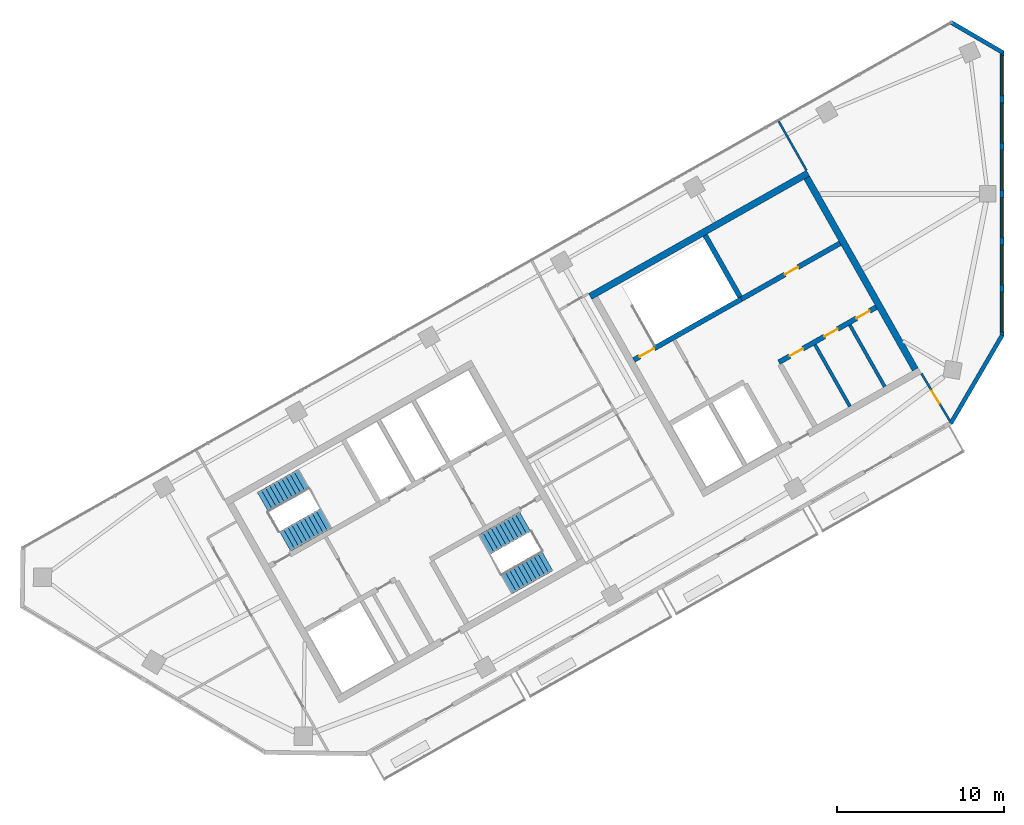
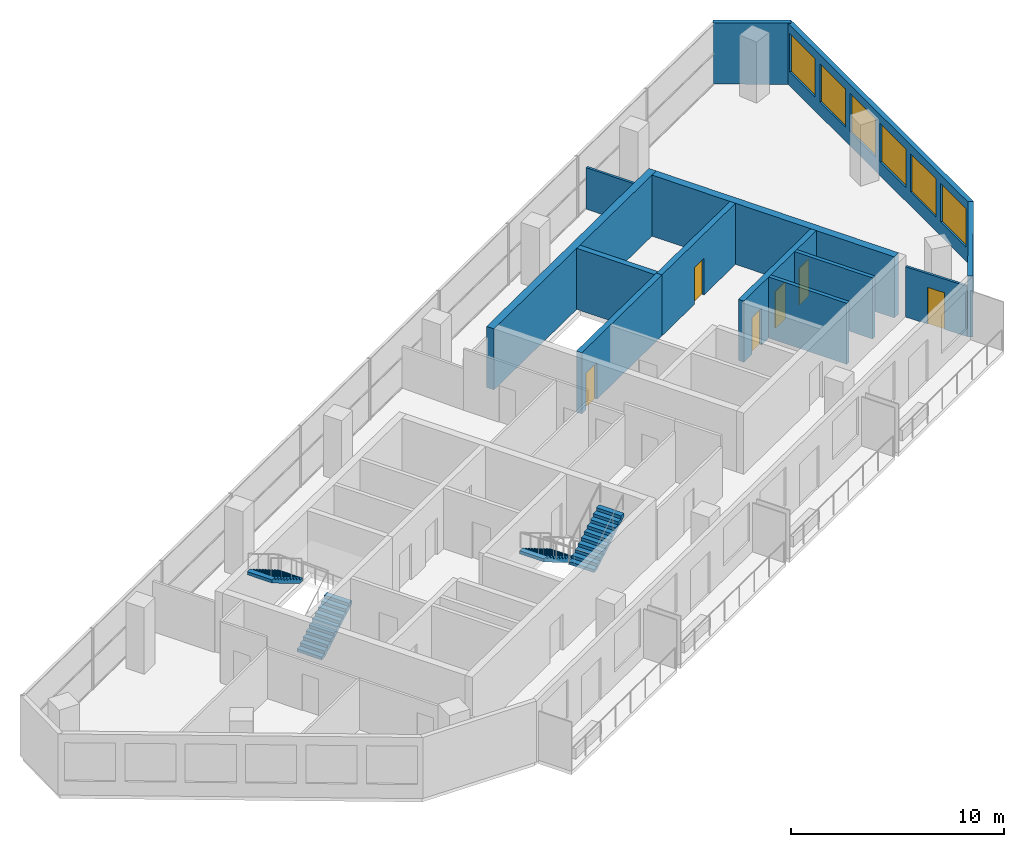
# One storey, part 8 of 10: 13 walls, 6 doors, 6 windows, 4 stair flights, 12 openings, 2 elements without a shape of their own.
"""IFC4 building model written with IfcOpenShell, lengths in metres."""

import ifcopenshell
import ifcopenshell.guid

model = None  # the IFC model being written
_history = None  # IfcOwnerHistory: only IFC2X3 demands one
_inside = {}  # id of a spatial element -> (the spatial element, [elements in it])
_under = {}  # id of a project, library or spatial element -> (it, [spatial elements below it])
_declared = {}  # id of a project -> (the project, [libraries it declares])
_typed = {}  # id of a type object -> (the type object, [elements of that type])
_made_of = {}  # id of a material, layer set ... -> (it, [elements and type objects made of it])


def new_model(schema):
    """Start an empty IFC model of exactly this schema.

    Asked for "IFC4X3", IfcOpenShell would pick the latest addendum, in which some entities
    have other attributes; the version numbers below select the first issue.
    IFC2X3 requires an IfcOwnerHistory on every rooted entity: one is made here for all.
    """
    global model, _history
    if schema == "IFC4X3":
        model = ifcopenshell.file(schema_version=(4, 3, 0, 0))
    else:
        model = ifcopenshell.file(schema=schema)
    _inside.clear()
    _under.clear()
    _declared.clear()
    _typed.clear()
    _made_of.clear()
    _history = None
    if model.schema == "IFC2X3":
        org = make("IfcOrganization", Name="unknown")
        user = make(
            "IfcPersonAndOrganization",
            ThePerson=make("IfcPerson", FamilyName="unknown"),
            TheOrganization=org,
        )
        app = make(
            "IfcApplication",
            ApplicationDeveloper=org,
            Version="unknown",
            ApplicationFullName="unknown",
            ApplicationIdentifier="unknown",
        )
        _history = make(
            "IfcOwnerHistory",
            OwningUser=user,
            OwningApplication=app,
            ChangeAction="ADDED",
            CreationDate=0,
        )
    return model


def make(cls, **values):
    """One entity of the class cls with the attributes given. An attribute that is None is left unset."""
    return model.create_entity(
        cls, **{name: value for name, value in values.items() if value is not None}
    )


def rooted(cls, **values):
    """An entity with a GlobalId (a new one), such as an element, a storey or a relation."""
    return make(cls, GlobalId=ifcopenshell.guid.new(), OwnerHistory=_history, **values)


def si_unit(unit_type, name, prefix=None):
    """IfcSIUnit, for example si_unit("LENGTHUNIT", "METRE", prefix="MILLI")."""
    return make("IfcSIUnit", UnitType=unit_type, Prefix=prefix, Name=name)


def assignment(units):
    """IfcUnitAssignment: the units of a project."""
    return None if units is None else make("IfcUnitAssignment", Units=units)


def point(xyz):
    """IfcCartesianPoint."""
    return None if xyz is None else make("IfcCartesianPoint", Coordinates=xyz)


def direction(xyz):
    """IfcDirection."""
    return None if xyz is None else make("IfcDirection", DirectionRatios=xyz)


def frame(location, z_axis=None, x_axis=None):
    """IfcAxis2Placement3D, a coordinate frame: its origin and axes. An axis left out is left unset."""
    return make(
        "IfcAxis2Placement3D",
        Location=point(location),
        Axis=direction(z_axis),
        RefDirection=direction(x_axis),
    )


def frame_2d(location, x_axis=None):
    """IfcAxis2Placement2D, a coordinate frame in the plane: its origin and x axis."""
    return make(
        "IfcAxis2Placement2D", Location=point(location), RefDirection=direction(x_axis)
    )


def origin():
    """The frame at (0, 0, 0) with its axes left unset."""
    return frame((0.0, 0.0, 0.0))


def place(relative_to, where):
    """IfcLocalPlacement: puts the frame where relative to a parent placement (None: the world)."""
    return make(
        "IfcLocalPlacement", PlacementRelTo=relative_to, RelativePlacement=where
    )


def context(
    kind, dimensions, precision=None, world=None, true_north=None, identifier=None
):
    """IfcGeometricRepresentationContext, for example the 3D "Model" context."""
    return make(
        "IfcGeometricRepresentationContext",
        ContextIdentifier=identifier,
        ContextType=kind,
        CoordinateSpaceDimension=dimensions,
        Precision=precision,
        WorldCoordinateSystem=world,
        TrueNorth=true_north,
    )


def subcontext(parent, identifier, kind, view, scale=None):
    """IfcGeometricRepresentationSubContext, for example "Body" below "Model"."""
    return make(
        "IfcGeometricRepresentationSubContext",
        ContextIdentifier=identifier,
        ContextType=kind,
        ParentContext=parent,
        TargetScale=scale,
        TargetView=view,
    )


def project(units=None, contexts=None):
    """IfcProject with its units and contexts."""
    return rooted(
        "IfcProject",
        Name="project",
        RepresentationContexts=contexts,
        UnitsInContext=assignment(units),
    )


def spatial(cls, under=None, at=None, **own):
    """A site, building, storey or space (cls), placed at a placement, below another one or the project."""
    s = rooted(cls, ObjectPlacement=at, **own)
    if under is not None:
        _under.setdefault(under.id(), (under, []))[1].append(s)
    return s


def polyline(points):
    """IfcPolyline through the points."""
    return make("IfcPolyline", Points=[point(p) for p in points])


def profile(cls, at=None, kind="AREA", **sizes):
    """A parametric profile (cls). Its sizes go by their IFC names, for example OverallWidth=200.0."""
    return make(cls, ProfileType=kind, Position=at, **sizes)


def rectangle(**sizes):
    """IfcRectangleProfileDef."""
    return profile("IfcRectangleProfileDef", **sizes)


def outline(outer, holes=None, kind="AREA"):
    """IfcArbitraryClosedProfileDef: a profile drawn as a closed curve; with holes, ...WithVoids."""
    if holes is None:
        return make("IfcArbitraryClosedProfileDef", ProfileType=kind, OuterCurve=outer)
    return make(
        "IfcArbitraryProfileDefWithVoids",
        ProfileType=kind,
        OuterCurve=outer,
        InnerCurves=holes,
    )


def extrude(swept, where, along, depth):
    """IfcExtrudedAreaSolid: the profile swept, set in the frame where, extruded along a direction by depth."""
    return make(
        "IfcExtrudedAreaSolid",
        SweptArea=swept,
        Position=where,
        ExtrudedDirection=direction(along),
        Depth=depth,
    )


def shape(context_of_items, identifier, shape_type, items):
    """IfcShapeRepresentation: the items that make up one representation, for example the "Body"."""
    return make(
        "IfcShapeRepresentation",
        ContextOfItems=context_of_items,
        RepresentationIdentifier=identifier,
        RepresentationType=shape_type,
        Items=items,
    )


def material(Name=None, Category=None):
    """IfcMaterial."""
    return make("IfcMaterial", Name=Name, Category=Category)


def layer(
    of_material, thickness, ventilated=None, Name=None, Category=None, Priority=None
):
    """IfcMaterialLayer: one layer of a wall or slab, of a material (None: an air gap)."""
    return make(
        "IfcMaterialLayer",
        Material=of_material,
        LayerThickness=thickness,
        IsVentilated=ventilated,
        Name=Name,
        Category=Category,
        Priority=Priority,
    )


def layer_set(layers, Name=None):
    """IfcMaterialLayerSet."""
    return make("IfcMaterialLayerSet", MaterialLayers=layers, LayerSetName=Name)


def made_of(thing, what):
    """Note that an element or type object is made of a material, layer set ...; save() writes the relation."""
    if what is not None:
        _made_of.setdefault(what.id(), (what, []))[1].append(thing)
    return thing


def type_object(cls, material=None, **own):
    """A type object (cls), such as IfcWallType, which elements share."""
    return made_of(rooted(cls, **own), material)


def element(
    cls,
    number,
    at=None,
    inside=None,
    cuts=None,
    type_object=None,
    material=None,
    context=None,
    identifier="Body",
    shape_type=None,
    held_by="IfcProductDefinitionShape",
    body=None,
    shapes=None,
    **own,
):
    """One element of the class cls, such as IfcWall. Its Tag is "e" and its number.

    at: its placement. inside: the storey or other place that contains it. cuts: it is an
    opening in that element (IfcRelVoidsElement). A single representation is given by context,
    identifier, shape_type and body (its items); several are given by shapes. held_by: the class
    of the entity that holds the representations. save() writes the other relations.
    """
    e = rooted(cls, Tag="e%d" % number, ObjectPlacement=at, **own)
    if body is not None:
        shapes = [shape(context, identifier, shape_type, body)]
    if shapes is not None:
        e.Representation = make(held_by, Representations=shapes)
    if inside is not None:
        _inside.setdefault(inside.id(), (inside, []))[1].append(e)
    if cuts is not None:
        rooted(
            "IfcRelVoidsElement", RelatingBuildingElement=cuts, RelatedOpeningElement=e
        )
    if type_object is not None:
        _typed.setdefault(type_object.id(), (type_object, []))[1].append(e)
    return made_of(e, material)


def fill(opening, filler):
    """IfcRelFillsElement: the door or window that sits in an opening."""
    return rooted(
        "IfcRelFillsElement",
        RelatingOpeningElement=opening,
        RelatedBuildingElement=filler,
    )


def aggregate(whole, parts):
    """IfcRelAggregates: a whole, such as a stair, and the parts it consists of."""
    return rooted("IfcRelAggregates", RelatingObject=whole, RelatedObjects=parts)


def save(model, path):
    """Write the relations noted so far, then the file.

    IfcRelAggregates (storeys below a building ...), IfcRelContainedInSpatialStructure (elements
    in a storey), IfcRelDefinesByType, IfcRelAssociatesMaterial and IfcRelDeclares: one each for
    every whole, place, type object, material and project.
    """
    for whole, parts in _under.values():
        aggregate(whole, parts)
    for where, things in _inside.values():
        rooted(
            "IfcRelContainedInSpatialStructure",
            RelatedElements=things,
            RelatingStructure=where,
        )
    for kind, things in _typed.values():
        rooted("IfcRelDefinesByType", RelatedObjects=things, RelatingType=kind)
    for what, things in _made_of.values():
        rooted("IfcRelAssociatesMaterial", RelatedObjects=things, RelatingMaterial=what)
    for by, libraries in _declared.values():
        rooted("IfcRelDeclares", RelatingContext=by, RelatedDefinitions=libraries)
    model.write(path)


model = new_model("IFC4")

# Units and contexts
model_context = context("Model", 3, precision=1e-05, world=origin(), true_north=direction((0.0, 1.0)))
body_context = subcontext(model_context, "Body", "Model", "MODEL_VIEW")
ifc_project = project(units=[si_unit("LENGTHUNIT", "METRE"), si_unit("AREAUNIT", "SQUARE_METRE"), si_unit("VOLUMEUNIT", "CUBIC_METRE"), si_unit("PLANEANGLEUNIT", "RADIAN"), si_unit("MASSUNIT", "GRAM", prefix="KILO")], contexts=[model_context])

# Site, building, storey
site_placement = place(None, origin())
site = spatial("IfcSite", under=ifc_project, at=site_placement, CompositionType="ELEMENT")
building_placement = place(site_placement, origin())
building = spatial("IfcBuilding", under=site, at=building_placement, Name="Binnacle Exchange Tower", CompositionType="ELEMENT")
storey_placement = place(building_placement, frame((0.0, 0.0, 343.10009765625)))
storey = spatial("IfcBuildingStorey", under=building, at=storey_placement, Name="L78", CompositionType="ELEMENT", Elevation=343.10009765625)

# Walls
ifc_material_1 = material(Name="Gypsum partition fire rated")
ifc_layer_1 = layer(ifc_material_1, 0.199951171875)
ifc_layer_set_1 = layer_set([ifc_layer_1], Name="Core partition 200")
wall_type_1 = type_object("IfcWallType", Name="Core partition 200", PredefinedType="PARTITIONING", material=ifc_layer_set_1)
wall_1_placement = place(storey_placement, frame((-11.201904296875, 50.96240234375, 0.0), z_axis=(0.0, 0.0, 1.0), x_axis=(0.492441437811, -0.870345580977, 0.0)))
element("IfcWall", 1, at=wall_1_placement, inside=storey, type_object=wall_type_1, Name="Core wall CRWC19", PredefinedType="PARTITIONING", context=body_context, shape_type="SweptSolid", body=[
    extrude(rectangle(XDim=4.250244140625, YDim=0.199951171875, at=frame_2d((2.125, 0.0))), origin(), (0.0, 0.0, 1.0), 3.5),
])
wall_2_placement = place(storey_placement, frame((-9.11279296875, 52.14404296875, 0.0), z_axis=(0.0, 0.0, 1.0), x_axis=(0.492422543467, -0.870356271124, 0.0)))
element("IfcWall", 2, at=wall_2_placement, inside=storey, type_object=wall_type_1, Name="Core wall CRWC22", PredefinedType="PARTITIONING", context=body_context, shape_type="SweptSolid", body=[
    extrude(rectangle(XDim=4.25, YDim=0.199951171875, at=frame_2d((2.125, 0.0))), origin(), (0.0, 0.0, 1.0), 3.5),
])

# Wall, openings, doors
ifc_material_2 = material(Name="Concrete C70/85", Category="concrete")
ifc_layer_2 = layer(ifc_material_2, 0.300048828125)
ifc_layer_set_2 = layer_set([ifc_layer_2], Name="Core wall - front 300")
wall_type_2 = type_object("IfcWallType", Name="Core wall - front 300", PredefinedType="SOLIDWALL", material=ifc_layer_set_2)
wall_3_placement = place(storey_placement, frame((-13.364501953125, 49.910888671875, 0.0), z_axis=(0.0, 0.0, 1.0), x_axis=(0.870347618718, 0.492437836272, 0.0)))
wall_3 = element("IfcWall", 3, at=wall_3_placement, inside=storey, type_object=wall_type_2, Name="Core wall CRWC3", PredefinedType="SOLIDWALL", context=body_context, shape_type="SweptSolid", body=[
    extrude(rectangle(XDim=6.699951171875, YDim=0.300048828125, at=frame_2d((3.35009765625, 0.0))), origin(), (0.0, 0.0, 1.0), 3.5),
])
opening_1_placement = place(wall_3_placement, frame((0.75, 0.0, 0.0)))
opening_1 = element("IfcOpeningElement", 4, at=opening_1_placement, cuts=wall_3, Name="Opening DC18", PredefinedType="OPENING", context=body_context, shape_type="SweptSolid", body=[
    extrude(rectangle(XDim=0.89990234375, YDim=2.10009765625, at=frame_2d((0.449951171875, 1.050048828125))), frame((0.0, 0.159912109375, 0.0), z_axis=(0.0, -1.0, 0.0), x_axis=(1.0, 0.0, 0.0)), (0.0, 0.0, 1.0), 0.320068359375),
])
opening_2_placement = place(wall_3_placement, frame((3.14990234375, 0.0, 0.0)))
opening_2 = element("IfcOpeningElement", 5, at=opening_2_placement, cuts=wall_3, Name="Opening DC19", PredefinedType="OPENING", context=body_context, shape_type="SweptSolid", body=[
    extrude(rectangle(XDim=0.89990234375, YDim=2.10009765625, at=frame_2d((0.449951171875, 1.050048828125))), frame((0.0, 0.159912109375, 0.0), z_axis=(0.0, -1.0, 0.0), x_axis=(1.0, 0.0, 0.0)), (0.0, 0.0, 1.0), 0.320068359375),
])
opening_3_placement = place(wall_3_placement, frame((5.35009765625, 0.0, 0.0)))
opening_3 = element("IfcOpeningElement", 6, at=opening_3_placement, cuts=wall_3, Name="Opening DC20", PredefinedType="OPENING", context=body_context, shape_type="SweptSolid", body=[
    extrude(rectangle(XDim=0.89990234375, YDim=2.10009765625, at=frame_2d((0.449951171875, 1.050048828125))), frame((0.0, 0.159912109375, 0.0), z_axis=(0.0, -1.0, 0.0), x_axis=(1.0, 0.0, 0.0)), (0.0, 0.0, 1.0), 0.320068359375),
])
ifc_material_3 = material(Name="Steel door leaf", Category="steel")
door_type_1 = type_object("IfcDoorType", Name="Fire door 900", OperationType="NOTDEFINED", PredefinedType="DOOR", material=ifc_material_3)
door_1_placement = place(opening_1_placement, frame((0.89990234375, 0.0, 0.0), z_axis=(0.0, 0.0, 1.0), x_axis=(-1.0, 0.0, 0.0)))
door_1 = element("IfcDoor", 7, at=door_1_placement, inside=storey, type_object=door_type_1, Name="Core room door FIBRE ENTRY ROOM", OperationType="SINGLE_SWING_RIGHT", OverallHeight=2.10009765625, OverallWidth=0.89990234375, PredefinedType="DOOR", context=body_context, shape_type="SweptSolid", body=[
    extrude(rectangle(XDim=0.89990234375, YDim=2.10009765625, at=frame_2d((0.449951171875, 1.050048828125))), frame((0.0, 0.02490234375, 0.0), z_axis=(0.0, -1.0, 0.0), x_axis=(1.0, 0.0, 0.0)), (0.0, 0.0, 1.0), 0.050048828125),
])
fill(opening_1, door_1)
door_2_placement = place(opening_2_placement, frame((0.89990234375, 0.0, 0.0), z_axis=(0.0, 0.0, 1.0), x_axis=(-1.0, 0.0, 0.0)))
door_2 = element("IfcDoor", 8, at=door_2_placement, inside=storey, type_object=door_type_1, Name="Core room door ELECTRICAL ROOM", OperationType="SINGLE_SWING_LEFT", OverallHeight=2.10009765625, OverallWidth=0.89990234375, PredefinedType="DOOR", context=body_context, shape_type="SweptSolid", body=[
    extrude(rectangle(XDim=0.89990234375, YDim=2.10009765625, at=frame_2d((0.449951171875, 1.050048828125))), frame((0.0, 0.02490234375, 0.0), z_axis=(0.0, -1.0, 0.0), x_axis=(1.0, 0.0, 0.0)), (0.0, 0.0, 1.0), 0.050048828125),
])
fill(opening_2, door_2)
door_3_placement = place(opening_3_placement, frame((0.89990234375, 0.0, 0.0), z_axis=(0.0, 0.0, 1.0), x_axis=(-1.0, 0.0, 0.0)))
door_3 = element("IfcDoor", 9, at=door_3_placement, inside=storey, type_object=door_type_1, Name="Core room door COMMS RISER ROOM", OperationType="SINGLE_SWING_LEFT", OverallHeight=2.10009765625, OverallWidth=0.89990234375, PredefinedType="DOOR", context=body_context, shape_type="SweptSolid", body=[
    extrude(rectangle(XDim=0.89990234375, YDim=2.10009765625, at=frame_2d((0.449951171875, 1.050048828125))), frame((0.0, 0.02490234375, 0.0), z_axis=(0.0, -1.0, 0.0), x_axis=(1.0, 0.0, 0.0)), (0.0, 0.0, 1.0), 0.050048828125),
])
fill(opening_3, door_3)

# Wall, opening, door
wall_4_placement = place(storey_placement, frame((-15.6181640625, 53.69140625, 0.0), z_axis=(0.0, 0.0, 1.0), x_axis=(0.870362830851, 0.492410948978, 0.0)))
wall_4 = element("IfcWall", 10, at=wall_4_placement, inside=storey, type_object=wall_type_2, Name="Core wall CRWC5", PredefinedType="SOLIDWALL", context=body_context, shape_type="SweptSolid", body=[
    extrude(rectangle(XDim=6.800048828125, YDim=0.300048828125, at=frame_2d((3.39990234375, 0.0))), origin(), (0.0, 0.0, 1.0), 3.5),
])
opening_4_placement = place(wall_4_placement, frame((3.0, 0.0, 0.0)))
opening_4 = element("IfcOpeningElement", 11, at=opening_4_placement, cuts=wall_4, Name="Opening DC10", PredefinedType="OPENING", context=body_context, shape_type="SweptSolid", body=[
    extrude(rectangle(XDim=0.89990234375, YDim=2.10009765625, at=frame_2d((0.449951171875, 1.050048828125))), frame((0.0, 0.159912109375, 0.0), z_axis=(0.0, -1.0, 0.0), x_axis=(1.0, 0.0, 0.0)), (0.0, 0.0, 1.0), 0.320068359375),
])
door_4_placement = place(opening_4_placement, origin())
door_4 = element("IfcDoor", 12, at=door_4_placement, inside=storey, type_object=door_type_1, Name="Core room door WORKSHOP STORE", OperationType="SINGLE_SWING_RIGHT", OverallHeight=2.10009765625, OverallWidth=0.89990234375, PredefinedType="DOOR", context=body_context, shape_type="SweptSolid", body=[
    extrude(rectangle(XDim=0.89990234375, YDim=2.10009765625, at=frame_2d((0.449951171875, 1.050048828125))), frame((0.0, 0.02490234375, 0.0), z_axis=(0.0, -1.0, 0.0), x_axis=(1.0, 0.0, 0.0)), (0.0, 0.0, 1.0), 0.050048828125),
])
fill(opening_4, door_4)

# Walls
ifc_layer_3 = layer(ifc_material_2, 0.39990234375)
ifc_layer_set_3 = layer_set([ifc_layer_3], Name="Core wall - outer 400")
wall_type_3 = type_object("IfcWallType", Name="Core wall - outer 400", PredefinedType="SOLIDWALL", material=ifc_layer_set_3)
wall_5_placement = place(storey_placement, frame((-24.672119140625, 53.85400390625, 0.0), z_axis=(0.0, 0.0, 1.0), x_axis=(0.870353598469, 0.492427267353, 0.0)))
element("IfcWall", 13, at=wall_5_placement, inside=storey, type_object=wall_type_3, Name="Core wall CRWC6", PredefinedType="SOLIDWALL", context=body_context, shape_type="SweptSolid", body=[
    extrude(rectangle(XDim=15.000244140625, YDim=0.39990234375, at=frame_2d((7.5, 0.0))), origin(), (0.0, 0.0, 1.0), 3.5),
])
wall_6_placement = place(storey_placement, frame((-11.6923828125, 60.968017578125, 0.0), z_axis=(0.0, 0.0, 1.0), x_axis=(0.492421663121, -0.870356769198, 0.0)))
element("IfcWall", 14, at=wall_6_placement, inside=storey, type_object=wall_type_3, Name="Core wall CRWC24", PredefinedType="SOLIDWALL", context=body_context, shape_type="SweptSolid", body=[
    extrude(rectangle(XDim=13.199951171875, YDim=0.39990234375, at=frame_2d((6.60009765625, 0.0))), origin(), (0.0, 0.0, 1.0), 3.5),
])

# Wall, opening, door
ifc_layer_4 = layer(ifc_material_2, 0.300048828125)
ifc_layer_set_4 = layer_set([ifc_layer_4], Name="Core wall - stair 300")
wall_type_4 = type_object("IfcWallType", Name="Core wall - stair 300", PredefinedType="SOLIDWALL", material=ifc_layer_set_4)
wall_7_placement = place(storey_placement, frame((-22.058837890625, 50.04736328125, 0.0), z_axis=(0.0, 0.0, 1.0), x_axis=(0.87035077051, 0.49243226567, 0.0)))
wall_7 = element("IfcWall", 15, at=wall_7_placement, inside=storey, type_object=wall_type_4, Name="Core wall CRWC4", PredefinedType="SOLIDWALL", context=body_context, shape_type="SweptSolid", body=[
    extrude(rectangle(XDim=7.400146484375, YDim=0.300048828125, at=frame_2d((3.7001953125, 0.0))), origin(), (0.0, 0.0, 1.0), 3.5),
])
opening_5_placement = place(wall_7_placement, frame((0.39990234375, 0.0, 0.0)))
opening_5 = element("IfcOpeningElement", 16, at=opening_5_placement, cuts=wall_7, Name="Opening DC1", PredefinedType="OPENING", context=body_context, shape_type="SweptSolid", body=[
    extrude(rectangle(XDim=1.0, YDim=2.10009765625, at=frame_2d((0.5, 1.050048828125))), frame((0.0, 0.159912109375, 0.0), z_axis=(0.0, -1.0, 0.0), x_axis=(1.0, 0.0, 0.0)), (0.0, 0.0, 1.0), 0.320068359375),
])
door_type_2 = type_object("IfcDoorType", Name="Fire door 1000", OperationType="NOTDEFINED", PredefinedType="DOOR", material=ifc_material_3)
door_5_placement = place(opening_5_placement, origin())
door_5 = element("IfcDoor", 17, at=door_5_placement, inside=storey, type_object=door_type_2, Name="Stair door ST-C1", OperationType="SINGLE_SWING_LEFT", OverallHeight=2.10009765625, OverallWidth=1.0, PredefinedType="DOOR", context=body_context, shape_type="SweptSolid", body=[
    extrude(rectangle(XDim=1.0, YDim=2.10009765625, at=frame_2d((0.5, 1.050048828125))), frame((0.0, 0.02490234375, 0.0), z_axis=(0.0, -1.0, 0.0), x_axis=(1.0, 0.0, 0.0)), (0.0, 0.0, 1.0), 0.050048828125),
])
fill(opening_5, door_5)

# Walls
wall_8_placement = place(storey_placement, frame((-17.784912109375, 57.52099609375, 0.0), z_axis=(0.0, 0.0, 1.0), x_axis=(0.492422543467, -0.870356271124, 0.0)))
element("IfcWall", 18, at=wall_8_placement, inside=storey, type_object=wall_type_4, Name="Core wall CRWC14", PredefinedType="SOLIDWALL", context=body_context, shape_type="SweptSolid", body=[
    extrude(rectangle(XDim=4.25, YDim=0.300048828125, at=frame_2d((2.125, 0.0))), origin(), (0.0, 0.0, 1.0), 3.5),
])
ifc_material_4 = material(Name="Bronze aluminium cladding", Category="aluminium")
ifc_layer_5 = layer(ifc_material_4, 0.25)
ifc_layer_set_5 = layer_set([ifc_layer_5], Name="External wall - window wall 250")
wall_type_5 = type_object("IfcWallType", Name="External wall - window wall 250", PredefinedType="STANDARD", material=ifc_layer_set_5)
wall_9_placement = place(storey_placement, frame((0.01708984375, 51.529296875, 0.0), z_axis=(0.0, 0.0, 1.0), x_axis=(-0.503769237131, -0.863838269424, 0.0)))
element("IfcWall", 19, at=wall_9_placement, inside=storey, type_object=wall_type_5, Name="External wall EW-H00 L78", PredefinedType="STANDARD", context=body_context, shape_type="SweptSolid", body=[
    extrude(rectangle(XDim=6.114501953125, YDim=0.25, at=frame_2d((3.05712890625, 0.0))), origin(), (0.0, 0.0, 1.0), 3.5),
])

# Wall, openings, windows
wall_10_placement = place(storey_placement, frame((0.0, 68.57177734375, 0.0), z_axis=(0.0, 0.0, 1.0), x_axis=(0.0, -1.0, 0.0)))
wall_10 = element("IfcWall", 20, at=wall_10_placement, inside=storey, type_object=wall_type_5, Name="External wall EW-H01 L78", PredefinedType="STANDARD", context=body_context, shape_type="SweptSolid", body=[
    extrude(rectangle(XDim=17.10546875, YDim=0.25, at=frame_2d((8.552734375, 0.0))), origin(), (0.0, 0.0, 1.0), 3.5),
])
opening_6_placement = place(wall_10_placement, frame((14.455078125, 0.0, 0.800048828125)))
opening_6 = element("IfcOpeningElement", 21, at=opening_6_placement, cuts=wall_10, Name="Opening WR2", PredefinedType="OPENING", context=body_context, shape_type="SweptSolid", body=[
    extrude(rectangle(XDim=2.39990234375, YDim=2.199951171875, at=frame_2d((1.199951171875, 1.10009765625))), frame((0.0, 0.135009765625, 0.0), z_axis=(0.0, -1.0, 0.0), x_axis=(1.0, 0.0, 0.0)), (0.0, 0.0, 1.0), 0.27001953125),
])
opening_7_placement = place(wall_10_placement, frame((11.621826171875, 0.0, 0.800048828125)))
opening_7 = element("IfcOpeningElement", 22, at=opening_7_placement, cuts=wall_10, Name="Opening WR2", PredefinedType="OPENING", context=body_context, shape_type="SweptSolid", body=[
    extrude(rectangle(XDim=2.39990234375, YDim=2.199951171875, at=frame_2d((1.199951171875, 1.10009765625))), frame((0.0, 0.135009765625, 0.0), z_axis=(0.0, -1.0, 0.0), x_axis=(1.0, 0.0, 0.0)), (0.0, 0.0, 1.0), 0.27001953125),
])
opening_8_placement = place(wall_10_placement, frame((8.78857421875, 0.0, 0.800048828125)))
opening_8 = element("IfcOpeningElement", 23, at=opening_8_placement, cuts=wall_10, Name="Opening WR2", PredefinedType="OPENING", context=body_context, shape_type="SweptSolid", body=[
    extrude(rectangle(XDim=2.39990234375, YDim=2.199951171875, at=frame_2d((1.199951171875, 1.10009765625))), frame((0.0, 0.135009765625, 0.0), z_axis=(0.0, -1.0, 0.0), x_axis=(1.0, 0.0, 0.0)), (0.0, 0.0, 1.0), 0.27001953125),
])
opening_9_placement = place(wall_10_placement, frame((5.955078125, 0.0, 0.800048828125)))
opening_9 = element("IfcOpeningElement", 24, at=opening_9_placement, cuts=wall_10, Name="Opening WR2", PredefinedType="OPENING", context=body_context, shape_type="SweptSolid", body=[
    extrude(rectangle(XDim=2.39990234375, YDim=2.199951171875, at=frame_2d((1.199951171875, 1.10009765625))), frame((0.0, 0.135009765625, 0.0), z_axis=(0.0, -1.0, 0.0), x_axis=(1.0, 0.0, 0.0)), (0.0, 0.0, 1.0), 0.27001953125),
])
opening_10_placement = place(wall_10_placement, frame((3.121826171875, 0.0, 0.800048828125)))
opening_10 = element("IfcOpeningElement", 25, at=opening_10_placement, cuts=wall_10, Name="Opening WR2", PredefinedType="OPENING", context=body_context, shape_type="SweptSolid", body=[
    extrude(rectangle(XDim=2.39990234375, YDim=2.199951171875, at=frame_2d((1.199951171875, 1.10009765625))), frame((0.0, 0.135009765625, 0.0), z_axis=(0.0, -1.0, 0.0), x_axis=(1.0, 0.0, 0.0)), (0.0, 0.0, 1.0), 0.27001953125),
])
opening_11_placement = place(wall_10_placement, frame((0.28857421875, 0.0, 0.800048828125)))
opening_11 = element("IfcOpeningElement", 26, at=opening_11_placement, cuts=wall_10, Name="Opening WR2", PredefinedType="OPENING", context=body_context, shape_type="SweptSolid", body=[
    extrude(rectangle(XDim=2.39990234375, YDim=2.199951171875, at=frame_2d((1.199951171875, 1.10009765625))), frame((0.0, 0.135009765625, 0.0), z_axis=(0.0, -1.0, 0.0), x_axis=(1.0, 0.0, 0.0)), (0.0, 0.0, 1.0), 0.27001953125),
])
ifc_material_5 = material(Name="Bronze anodised aluminium frame", Category="aluminium")
window_type = type_object("IfcWindowType", Name="WR2 WINDOW 2400x2200", PartitioningType="SINGLE_PANEL", PredefinedType="WINDOW", material=ifc_material_5)
window_1_placement = place(opening_6_placement, origin())
window_1 = element("IfcWindow", 27, at=window_1_placement, inside=storey, type_object=window_type, Name="Window WR2 L78", OverallHeight=2.199951171875, OverallWidth=2.39990234375, PartitioningType="SINGLE_PANEL", PredefinedType="WINDOW", context=body_context, shape_type="SweptSolid", body=[
    extrude(rectangle(XDim=2.39990234375, YDim=2.199951171875, at=frame_2d((1.199951171875, 1.10009765625))), frame((0.0, 0.030029296875, 0.0), z_axis=(0.0, -1.0, 0.0), x_axis=(1.0, 0.0, 0.0)), (0.0, 0.0, 1.0), 0.06005859375),
])
fill(opening_6, window_1)
window_2_placement = place(opening_7_placement, origin())
window_2 = element("IfcWindow", 28, at=window_2_placement, inside=storey, type_object=window_type, Name="Window WR2 L78", OverallHeight=2.199951171875, OverallWidth=2.39990234375, PartitioningType="SINGLE_PANEL", PredefinedType="WINDOW", context=body_context, shape_type="SweptSolid", body=[
    extrude(rectangle(XDim=2.39990234375, YDim=2.199951171875, at=frame_2d((1.199951171875, 1.10009765625))), frame((0.0, 0.030029296875, 0.0), z_axis=(0.0, -1.0, 0.0), x_axis=(1.0, 0.0, 0.0)), (0.0, 0.0, 1.0), 0.06005859375),
])
fill(opening_7, window_2)
window_3_placement = place(opening_8_placement, origin())
window_3 = element("IfcWindow", 29, at=window_3_placement, inside=storey, type_object=window_type, Name="Window WR2 L78", OverallHeight=2.199951171875, OverallWidth=2.39990234375, PartitioningType="SINGLE_PANEL", PredefinedType="WINDOW", context=body_context, shape_type="SweptSolid", body=[
    extrude(rectangle(XDim=2.39990234375, YDim=2.199951171875, at=frame_2d((1.199951171875, 1.10009765625))), frame((0.0, 0.030029296875, 0.0), z_axis=(0.0, -1.0, 0.0), x_axis=(1.0, 0.0, 0.0)), (0.0, 0.0, 1.0), 0.06005859375),
])
fill(opening_8, window_3)
window_4_placement = place(opening_9_placement, origin())
window_4 = element("IfcWindow", 30, at=window_4_placement, inside=storey, type_object=window_type, Name="Window WR2 L78", OverallHeight=2.199951171875, OverallWidth=2.39990234375, PartitioningType="SINGLE_PANEL", PredefinedType="WINDOW", context=body_context, shape_type="SweptSolid", body=[
    extrude(rectangle(XDim=2.39990234375, YDim=2.199951171875, at=frame_2d((1.199951171875, 1.10009765625))), frame((0.0, 0.030029296875, 0.0), z_axis=(0.0, -1.0, 0.0), x_axis=(1.0, 0.0, 0.0)), (0.0, 0.0, 1.0), 0.06005859375),
])
fill(opening_9, window_4)
window_5_placement = place(opening_10_placement, origin())
window_5 = element("IfcWindow", 31, at=window_5_placement, inside=storey, type_object=window_type, Name="Window WR2 L78", OverallHeight=2.199951171875, OverallWidth=2.39990234375, PartitioningType="SINGLE_PANEL", PredefinedType="WINDOW", context=body_context, shape_type="SweptSolid", body=[
    extrude(rectangle(XDim=2.39990234375, YDim=2.199951171875, at=frame_2d((1.199951171875, 1.10009765625))), frame((0.0, 0.030029296875, 0.0), z_axis=(0.0, -1.0, 0.0), x_axis=(1.0, 0.0, 0.0)), (0.0, 0.0, 1.0), 0.06005859375),
])
fill(opening_10, window_5)
window_6_placement = place(opening_11_placement, origin())
window_6 = element("IfcWindow", 32, at=window_6_placement, inside=storey, type_object=window_type, Name="Window WR2 L78", OverallHeight=2.199951171875, OverallWidth=2.39990234375, PartitioningType="SINGLE_PANEL", PredefinedType="WINDOW", context=body_context, shape_type="SweptSolid", body=[
    extrude(rectangle(XDim=2.39990234375, YDim=2.199951171875, at=frame_2d((1.199951171875, 1.10009765625))), frame((0.0, 0.030029296875, 0.0), z_axis=(0.0, -1.0, 0.0), x_axis=(1.0, 0.0, 0.0)), (0.0, 0.0, 1.0), 0.06005859375),
])
fill(opening_11, window_6)

# Walls
wall_11_placement = place(storey_placement, frame((-3.108154296875, 70.312744140625, 0.0), z_axis=(0.0, 0.0, 1.0), x_axis=(0.86382474085, -0.503792434536, 0.0)))
element("IfcWall", 33, at=wall_11_placement, inside=storey, type_object=wall_type_5, Name="External wall EW-H02 L78", PredefinedType="STANDARD", context=body_context, shape_type="SweptSolid", body=[
    extrude(rectangle(XDim=3.669921875, YDim=0.25, at=frame_2d((1.8349609375, 0.0))), origin(), (0.0, 0.0, 1.0), 3.5),
])
ifc_material_6 = material(Name="Gypsum partition")
ifc_layer_6 = layer(ifc_material_6, 0.125)
ifc_layer_set_6 = layer_set([ifc_layer_6], Name="Partition 125")
wall_type_6 = type_object("IfcWallType", Name="Partition 125", PredefinedType="PARTITIONING", material=ifc_layer_set_6)
wall_12_placement = place(storey_placement, frame((-13.382080078125, 64.360107421875, 0.0), z_axis=(0.0, 0.0, 1.0), x_axis=(0.492468354667, -0.870330350874, 0.0)))
element("IfcWall", 34, at=wall_12_placement, inside=storey, type_object=wall_type_6, Name="Partition W20", PredefinedType="PARTITIONING", context=body_context, shape_type="SweptSolid", body=[
    extrude(rectangle(XDim=3.385009765625, YDim=0.125, at=frame_2d((1.6923828125, 0.0))), origin(), (0.0, 0.0, 1.0), 2.3798828125),
])

# Wall, opening, door
wall_13_placement = place(storey_placement, frame((-4.821044921875, 49.22998046875, 0.0), z_axis=(0.0, 0.0, 1.0), x_axis=(0.515006587647, -0.857186219371, 0.0)))
wall_13 = element("IfcWall", 35, at=wall_13_placement, inside=storey, type_object=wall_type_6, Name="Partition W21", PredefinedType="PARTITIONING", context=body_context, shape_type="SweptSolid", body=[
    extrude(rectangle(XDim=3.302734375, YDim=0.125, at=frame_2d((1.6513671875, 0.0))), origin(), (0.0, 0.0, 1.0), 2.8798828125),
])
opening_12_placement = place(wall_13_placement, frame((1.199951171875, 0.0, 0.0)))
opening_12 = element("IfcOpeningElement", 36, at=opening_12_placement, cuts=wall_13, Name="Opening DL77-10", PredefinedType="OPENING", context=body_context, shape_type="SweptSolid", body=[
    extrude(rectangle(XDim=0.89990234375, YDim=2.10009765625, at=frame_2d((0.449951171875, 1.050048828125))), frame((0.0, 0.072509765625, 0.0), z_axis=(0.0, -1.0, 0.0), x_axis=(1.0, 0.0, 0.0)), (0.0, 0.0, 1.0), 0.14501953125),
])
ifc_material_7 = material(Name="Timber door leaf", Category="wood")
door_type_3 = type_object("IfcDoorType", Name="Door 900", OperationType="NOTDEFINED", PredefinedType="DOOR", material=ifc_material_7)
door_6_placement = place(opening_12_placement, origin())
door_6 = element("IfcDoor", 37, at=door_6_placement, inside=storey, type_object=door_type_3, Name="Door DL77-10", OperationType="SINGLE_SWING_LEFT", OverallHeight=2.10009765625, OverallWidth=0.89990234375, PredefinedType="DOOR", context=body_context, shape_type="SweptSolid", body=[
    extrude(rectangle(XDim=0.89990234375, YDim=2.10009765625, at=frame_2d((0.449951171875, 1.050048828125))), frame((0.0, 0.02490234375, 0.0), z_axis=(0.0, -1.0, 0.0), x_axis=(1.0, 0.0, 0.0)), (0.0, 0.0, 1.0), 0.050048828125),
])
fill(opening_12, door_6)

# Stair, stair flights
ifc_material_8 = material(Name="Concrete C35/45", Category="concrete")
stair_type = type_object("IfcStairType", Name="STAIR 22 RISERS 173", PredefinedType="HALF_TURN_STAIR", material=ifc_material_8)
stair_1_placement = place(storey_placement, origin())
stair_1 = element("IfcStair", 38, at=stair_1_placement, inside=storey, type_object=stair_type, Name="L78 Escape stair A1", PredefinedType="HALF_TURN_STAIR")
stair_flight_type = type_object("IfcStairFlightType", Name="STAIR FLIGHT 173X280", PredefinedType="STRAIGHT", material=ifc_material_8)
stair_flight_1_placement = place(storey_placement, frame((-42.9541015625, 39.17333984375, 0.0), z_axis=(0.0, 0.0, 1.0), x_axis=(0.870355584213, 0.492423757581, 0.0)))
stair_flight_1 = element("IfcStairFlight", 39, at=stair_flight_1_placement, type_object=stair_flight_type, Name="STA1 flight 1", NumberOfRisers=11, NumberOfTreads=10, PredefinedType="STRAIGHT", RiserHeight=0.172727273, TreadLength=0.28, context=body_context, shape_type="SweptSolid", body=[
    extrude(outline(polyline([(0.0, 0.0), (0.0, 0.172607421875), (0.280029296875, 0.172607421875), (0.280029296875, 0.345458984375), (0.56005859375, 0.345458984375), (0.56005859375, 0.51806640625), (0.840087890625, 0.51806640625), (0.840087890625, 0.69091796875), (1.1201171875, 0.69091796875), (1.1201171875, 0.863525390625), (1.39990234375, 0.863525390625), (1.39990234375, 1.036376953125), (1.679931640625, 1.036376953125), (1.679931640625, 1.208984375), (1.9599609375, 1.208984375), (1.9599609375, 1.3818359375), (2.239990234375, 1.3818359375), (2.239990234375, 1.554443359375), (2.52001953125, 1.554443359375), (2.52001953125, 1.727294921875), (2.800048828125, 1.727294921875), (2.800048828125, 1.89990234375), (2.800048828125, 1.551025390625), (0.285400390625, 0.0), (0.0, 0.0)])), frame((0.0, 0.675048828125, 0.0), z_axis=(0.0, -1.0, 0.0), x_axis=(1.0, 0.0, 0.0)), (0.0, 0.0, 1.0), 1.35009765625),
])
stair_flight_2_placement = place(storey_placement, frame((-41.846435546875, 42.902099609375, 1.89990234375), z_axis=(0.0, 0.0, 1.0), x_axis=(-0.870355584213, -0.492423757581, 0.0)))
stair_flight_2 = element("IfcStairFlight", 40, at=stair_flight_2_placement, type_object=stair_flight_type, Name="STA1 flight 2", NumberOfRisers=11, NumberOfTreads=10, PredefinedType="STRAIGHT", RiserHeight=0.172727273, TreadLength=0.28, context=body_context, shape_type="SweptSolid", body=[
    extrude(outline(polyline([(0.0, 0.0), (0.0, 0.172607421875), (0.280029296875, 0.172607421875), (0.280029296875, 0.345458984375), (0.56005859375, 0.345458984375), (0.56005859375, 0.51806640625), (0.840087890625, 0.51806640625), (0.840087890625, 0.69091796875), (1.1201171875, 0.69091796875), (1.1201171875, 0.863525390625), (1.39990234375, 0.863525390625), (1.39990234375, 1.036376953125), (1.679931640625, 1.036376953125), (1.679931640625, 1.208984375), (1.9599609375, 1.208984375), (1.9599609375, 1.3818359375), (2.239990234375, 1.3818359375), (2.239990234375, 1.554443359375), (2.52001953125, 1.554443359375), (2.52001953125, 1.727294921875), (2.800048828125, 1.727294921875), (2.800048828125, 1.89990234375), (2.800048828125, 1.551025390625), (0.285400390625, 0.0), (0.0, 0.0)])), frame((0.0, 0.675048828125, 0.0), z_axis=(0.0, -1.0, 0.0), x_axis=(1.0, 0.0, 0.0)), (0.0, 0.0, 1.0), 1.35009765625),
])
aggregate(stair_1, [stair_flight_1, stair_flight_2])

stair_2_placement = place(storey_placement, origin())
stair_2 = element("IfcStair", 41, at=stair_2_placement, inside=storey, type_object=stair_type, Name="L78 Escape stair A2", PredefinedType="HALF_TURN_STAIR")
stair_flight_3_placement = place(storey_placement, frame((-28.5732421875, 40.3583984375, 0.0), z_axis=(0.0, 0.0, 1.0), x_axis=(-0.870355584213, -0.492423757581, 0.0)))
stair_flight_3 = element("IfcStairFlight", 42, at=stair_flight_3_placement, type_object=stair_flight_type, Name="STA2 flight 1", NumberOfRisers=11, NumberOfTreads=10, PredefinedType="STRAIGHT", RiserHeight=0.172727273, TreadLength=0.28, context=body_context, shape_type="SweptSolid", body=[
    extrude(outline(polyline([(0.0, 0.0), (0.0, 0.172607421875), (0.280029296875, 0.172607421875), (0.280029296875, 0.345458984375), (0.56005859375, 0.345458984375), (0.56005859375, 0.51806640625), (0.840087890625, 0.51806640625), (0.840087890625, 0.69091796875), (1.1201171875, 0.69091796875), (1.1201171875, 0.863525390625), (1.39990234375, 0.863525390625), (1.39990234375, 1.036376953125), (1.679931640625, 1.036376953125), (1.679931640625, 1.208984375), (1.9599609375, 1.208984375), (1.9599609375, 1.3818359375), (2.239990234375, 1.3818359375), (2.239990234375, 1.554443359375), (2.52001953125, 1.554443359375), (2.52001953125, 1.727294921875), (2.800048828125, 1.727294921875), (2.800048828125, 1.89990234375), (2.800048828125, 1.551025390625), (0.285400390625, 0.0), (0.0, 0.0)])), frame((0.0, 0.675048828125, 0.0), z_axis=(0.0, -1.0, 0.0), x_axis=(1.0, 0.0, 0.0)), (0.0, 0.0, 1.0), 1.35009765625),
])
stair_flight_4_placement = place(storey_placement, frame((-29.6806640625, 36.629638671875, 1.89990234375), z_axis=(0.0, 0.0, 1.0), x_axis=(0.870355584213, 0.492423757581, 0.0)))
stair_flight_4 = element("IfcStairFlight", 43, at=stair_flight_4_placement, type_object=stair_flight_type, Name="STA2 flight 2", NumberOfRisers=11, NumberOfTreads=10, PredefinedType="STRAIGHT", RiserHeight=0.172727273, TreadLength=0.28, context=body_context, shape_type="SweptSolid", body=[
    extrude(outline(polyline([(0.0, 0.0), (0.0, 0.172607421875), (0.280029296875, 0.172607421875), (0.280029296875, 0.345458984375), (0.56005859375, 0.345458984375), (0.56005859375, 0.51806640625), (0.840087890625, 0.51806640625), (0.840087890625, 0.69091796875), (1.1201171875, 0.69091796875), (1.1201171875, 0.863525390625), (1.39990234375, 0.863525390625), (1.39990234375, 1.036376953125), (1.679931640625, 1.036376953125), (1.679931640625, 1.208984375), (1.9599609375, 1.208984375), (1.9599609375, 1.3818359375), (2.239990234375, 1.3818359375), (2.239990234375, 1.554443359375), (2.52001953125, 1.554443359375), (2.52001953125, 1.727294921875), (2.800048828125, 1.727294921875), (2.800048828125, 1.89990234375), (2.800048828125, 1.551025390625), (0.285400390625, 0.0), (0.0, 0.0)])), frame((0.0, 0.675048828125, 0.0), z_axis=(0.0, -1.0, 0.0), x_axis=(1.0, 0.0, 0.0)), (0.0, 0.0, 1.0), 1.35009765625),
])
aggregate(stair_2, [stair_flight_3, stair_flight_4])

save(model, "model.ifc")
